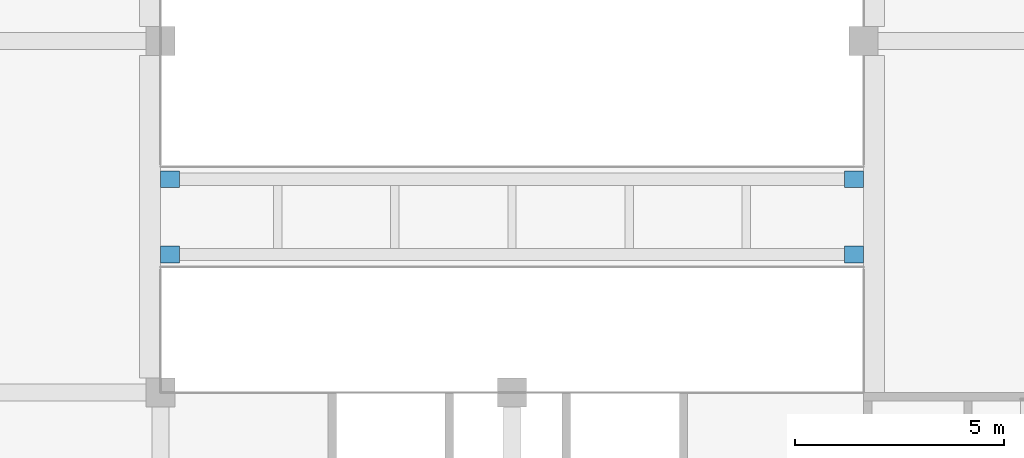
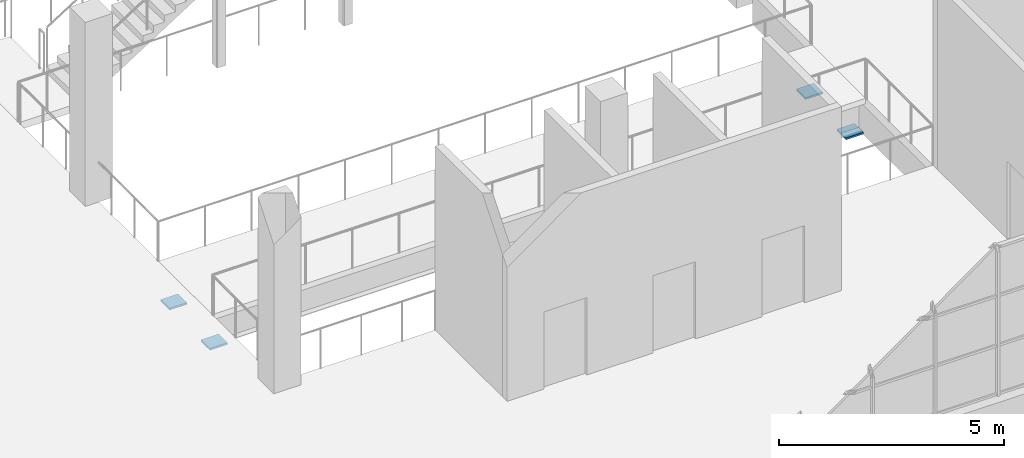
# One storey, part 41 of 82: 4 discrete accessories.
"""IFC4 building model written with IfcOpenShell, lengths in metres."""

from ifc_helpers import new_model, si_unit, direction, frame, origin, origin_2d, place, context, subcontext, project, spatial, rectangle, extrude, material, type_object, element, save


model = new_model("IFC4")

# Units and contexts
model_context = context("Model", 3, precision=1e-05, world=origin(), true_north=direction((0.0, 1.0)))
body_context = subcontext(model_context, "Body", "Model", "MODEL_VIEW")
ifc_project = project(units=[si_unit("LENGTHUNIT", "METRE"), si_unit("AREAUNIT", "SQUARE_METRE"), si_unit("VOLUMEUNIT", "CUBIC_METRE"), si_unit("PLANEANGLEUNIT", "RADIAN"), si_unit("MASSUNIT", "GRAM", prefix="KILO")], contexts=[model_context])

# Site, building, storey
site_placement = place(None, origin())
site = spatial("IfcSite", under=ifc_project, at=site_placement, CompositionType="ELEMENT")
building_placement = place(site_placement, origin())
building = spatial("IfcBuilding", under=site, at=building_placement, Name="Almond Square Museum", CompositionType="ELEMENT")
storey_placement = place(building_placement, frame((0.0, 0.0, 20.0)))
storey = spatial("IfcBuildingStorey", under=building, at=storey_placement, Name="L03", CompositionType="ELEMENT", Elevation=20.0)

# Discrete accessories
ifc_material = material(Name="Structural steel S355", Category="steel")
discrete_accessory_type = type_object("IfcDiscreteAccessoryType", Name="Bridge girder seat bracket", PredefinedType="BRACKET", material=ifc_material)
for number, where, z_axis, x_axis, name in (
    (1, (81.824951171875, 78.89990234375, -1.03515625), (0.0, 0.0, 1.0), (1.0, 0.0, 0.0), "Bridge 5 girder seat bracket (fixed end)"),
    (2, (98.175048828125, 78.89990234375, -1.03515625), (0.0, 0.0, 1.0), (1.0, 0.0, 0.0), "Bridge 5 girder seat bracket (sliding end)"),
    (3, (81.824951171875, 80.699951171875, -1.03515625), (0.0, 0.0, 1.0), (1.0, 0.0, 0.0), "Bridge 5 girder seat bracket (fixed end)"),
    (4, (98.175048828125, 80.699951171875, -1.03515625), (0.0, 0.0, 1.0), (1.0, 0.0, 0.0), "Bridge 5 girder seat bracket (sliding end)"),
):
    element("IfcDiscreteAccessory", number, at=place(storey_placement, frame(where, z_axis=z_axis, x_axis=x_axis)), inside=storey, type_object=discrete_accessory_type, Name=name, PredefinedType="BRACKET", context=body_context, shape_type="SweptSolid", body=[
        extrude(rectangle(XDim=0.449951171875, YDim=0.39990234375, at=origin_2d()), origin(), (0.0, 0.0, 1.0), 0.050048828125),
    ])

save(model, "model.ifc")
